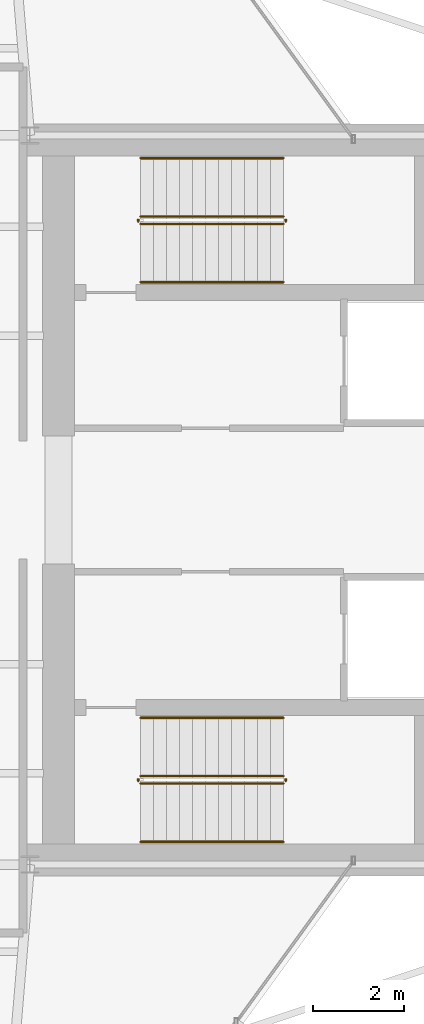
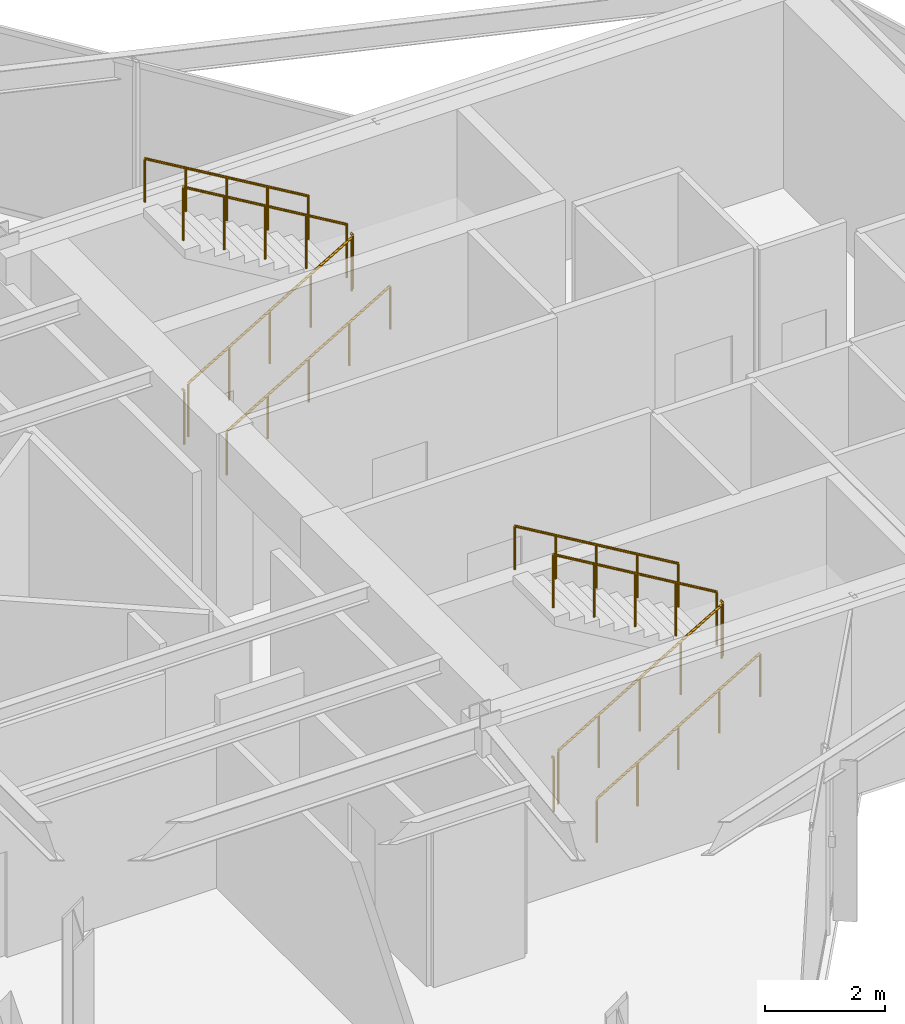
# One storey, part 21 of 21: 12 railings.
"""IFC4 building model written with IfcOpenShell, lengths in metres."""

import ifcopenshell
import ifcopenshell.guid

model = None  # the IFC model being written
_history = None  # IfcOwnerHistory: only IFC2X3 demands one
_inside = {}  # id of a spatial element -> (the spatial element, [elements in it])
_under = {}  # id of a project, library or spatial element -> (it, [spatial elements below it])
_declared = {}  # id of a project -> (the project, [libraries it declares])
_typed = {}  # id of a type object -> (the type object, [elements of that type])
_made_of = {}  # id of a material, layer set ... -> (it, [elements and type objects made of it])


def new_model(schema):
    """Start an empty IFC model of exactly this schema.

    Asked for "IFC4X3", IfcOpenShell would pick the latest addendum, in which some entities
    have other attributes; the version numbers below select the first issue.
    IFC2X3 requires an IfcOwnerHistory on every rooted entity: one is made here for all.
    """
    global model, _history
    if schema == "IFC4X3":
        model = ifcopenshell.file(schema_version=(4, 3, 0, 0))
    else:
        model = ifcopenshell.file(schema=schema)
    _inside.clear()
    _under.clear()
    _declared.clear()
    _typed.clear()
    _made_of.clear()
    _history = None
    if model.schema == "IFC2X3":
        org = make("IfcOrganization", Name="unknown")
        user = make(
            "IfcPersonAndOrganization",
            ThePerson=make("IfcPerson", FamilyName="unknown"),
            TheOrganization=org,
        )
        app = make(
            "IfcApplication",
            ApplicationDeveloper=org,
            Version="unknown",
            ApplicationFullName="unknown",
            ApplicationIdentifier="unknown",
        )
        _history = make(
            "IfcOwnerHistory",
            OwningUser=user,
            OwningApplication=app,
            ChangeAction="ADDED",
            CreationDate=0,
        )
    return model


def make(cls, **values):
    """One entity of the class cls with the attributes given. An attribute that is None is left unset."""
    return model.create_entity(
        cls, **{name: value for name, value in values.items() if value is not None}
    )


def rooted(cls, **values):
    """An entity with a GlobalId (a new one), such as an element, a storey or a relation."""
    return make(cls, GlobalId=ifcopenshell.guid.new(), OwnerHistory=_history, **values)


def si_unit(unit_type, name, prefix=None):
    """IfcSIUnit, for example si_unit("LENGTHUNIT", "METRE", prefix="MILLI")."""
    return make("IfcSIUnit", UnitType=unit_type, Prefix=prefix, Name=name)


def assignment(units):
    """IfcUnitAssignment: the units of a project."""
    return None if units is None else make("IfcUnitAssignment", Units=units)


def point(xyz):
    """IfcCartesianPoint."""
    return None if xyz is None else make("IfcCartesianPoint", Coordinates=xyz)


def direction(xyz):
    """IfcDirection."""
    return None if xyz is None else make("IfcDirection", DirectionRatios=xyz)


def frame(location, z_axis=None, x_axis=None):
    """IfcAxis2Placement3D, a coordinate frame: its origin and axes. An axis left out is left unset."""
    return make(
        "IfcAxis2Placement3D",
        Location=point(location),
        Axis=direction(z_axis),
        RefDirection=direction(x_axis),
    )


def frame_2d(location, x_axis=None):
    """IfcAxis2Placement2D, a coordinate frame in the plane: its origin and x axis."""
    return make(
        "IfcAxis2Placement2D", Location=point(location), RefDirection=direction(x_axis)
    )


def origin():
    """The frame at (0, 0, 0) with its axes left unset."""
    return frame((0.0, 0.0, 0.0))


def origin_2d():
    """The frame at (0, 0) in the plane with its x axis left unset."""
    return frame_2d((0.0, 0.0))


def place(relative_to, where):
    """IfcLocalPlacement: puts the frame where relative to a parent placement (None: the world)."""
    return make(
        "IfcLocalPlacement", PlacementRelTo=relative_to, RelativePlacement=where
    )


def context(
    kind, dimensions, precision=None, world=None, true_north=None, identifier=None
):
    """IfcGeometricRepresentationContext, for example the 3D "Model" context."""
    return make(
        "IfcGeometricRepresentationContext",
        ContextIdentifier=identifier,
        ContextType=kind,
        CoordinateSpaceDimension=dimensions,
        Precision=precision,
        WorldCoordinateSystem=world,
        TrueNorth=true_north,
    )


def subcontext(parent, identifier, kind, view, scale=None):
    """IfcGeometricRepresentationSubContext, for example "Body" below "Model"."""
    return make(
        "IfcGeometricRepresentationSubContext",
        ContextIdentifier=identifier,
        ContextType=kind,
        ParentContext=parent,
        TargetScale=scale,
        TargetView=view,
    )


def project(units=None, contexts=None):
    """IfcProject with its units and contexts."""
    return rooted(
        "IfcProject",
        Name="project",
        RepresentationContexts=contexts,
        UnitsInContext=assignment(units),
    )


def spatial(cls, under=None, at=None, **own):
    """A site, building, storey or space (cls), placed at a placement, below another one or the project."""
    s = rooted(cls, ObjectPlacement=at, **own)
    if under is not None:
        _under.setdefault(under.id(), (under, []))[1].append(s)
    return s


def profile(cls, at=None, kind="AREA", **sizes):
    """A parametric profile (cls). Its sizes go by their IFC names, for example OverallWidth=200.0."""
    return make(cls, ProfileType=kind, Position=at, **sizes)


def circle(**sizes):
    """IfcCircleProfileDef."""
    return profile("IfcCircleProfileDef", **sizes)


def extrude(swept, where, along, depth):
    """IfcExtrudedAreaSolid: the profile swept, set in the frame where, extruded along a direction by depth."""
    return make(
        "IfcExtrudedAreaSolid",
        SweptArea=swept,
        Position=where,
        ExtrudedDirection=direction(along),
        Depth=depth,
    )


def shape(context_of_items, identifier, shape_type, items):
    """IfcShapeRepresentation: the items that make up one representation, for example the "Body"."""
    return make(
        "IfcShapeRepresentation",
        ContextOfItems=context_of_items,
        RepresentationIdentifier=identifier,
        RepresentationType=shape_type,
        Items=items,
    )


def material(Name=None, Category=None):
    """IfcMaterial."""
    return make("IfcMaterial", Name=Name, Category=Category)


def made_of(thing, what):
    """Note that an element or type object is made of a material, layer set ...; save() writes the relation."""
    if what is not None:
        _made_of.setdefault(what.id(), (what, []))[1].append(thing)
    return thing


def type_object(cls, material=None, **own):
    """A type object (cls), such as IfcWallType, which elements share."""
    return made_of(rooted(cls, **own), material)


def element(
    cls,
    number,
    at=None,
    inside=None,
    cuts=None,
    type_object=None,
    material=None,
    context=None,
    identifier="Body",
    shape_type=None,
    held_by="IfcProductDefinitionShape",
    body=None,
    shapes=None,
    **own,
):
    """One element of the class cls, such as IfcWall. Its Tag is "e" and its number.

    at: its placement. inside: the storey or other place that contains it. cuts: it is an
    opening in that element (IfcRelVoidsElement). A single representation is given by context,
    identifier, shape_type and body (its items); several are given by shapes. held_by: the class
    of the entity that holds the representations. save() writes the other relations.
    """
    e = rooted(cls, Tag="e%d" % number, ObjectPlacement=at, **own)
    if body is not None:
        shapes = [shape(context, identifier, shape_type, body)]
    if shapes is not None:
        e.Representation = make(held_by, Representations=shapes)
    if inside is not None:
        _inside.setdefault(inside.id(), (inside, []))[1].append(e)
    if cuts is not None:
        rooted(
            "IfcRelVoidsElement", RelatingBuildingElement=cuts, RelatedOpeningElement=e
        )
    if type_object is not None:
        _typed.setdefault(type_object.id(), (type_object, []))[1].append(e)
    return made_of(e, material)


def aggregate(whole, parts):
    """IfcRelAggregates: a whole, such as a stair, and the parts it consists of."""
    return rooted("IfcRelAggregates", RelatingObject=whole, RelatedObjects=parts)


def save(model, path):
    """Write the relations noted so far, then the file.

    IfcRelAggregates (storeys below a building ...), IfcRelContainedInSpatialStructure (elements
    in a storey), IfcRelDefinesByType, IfcRelAssociatesMaterial and IfcRelDeclares: one each for
    every whole, place, type object, material and project.
    """
    for whole, parts in _under.values():
        aggregate(whole, parts)
    for where, things in _inside.values():
        rooted(
            "IfcRelContainedInSpatialStructure",
            RelatedElements=things,
            RelatingStructure=where,
        )
    for kind, things in _typed.values():
        rooted("IfcRelDefinesByType", RelatedObjects=things, RelatingType=kind)
    for what, things in _made_of.values():
        rooted("IfcRelAssociatesMaterial", RelatedObjects=things, RelatingMaterial=what)
    for by, libraries in _declared.values():
        rooted("IfcRelDeclares", RelatingContext=by, RelatedDefinitions=libraries)
    model.write(path)


model = new_model("IFC4")

# Units and contexts
model_context = context("Model", 3, precision=1e-05, world=origin(), true_north=direction((0.0, 1.0)))
body_context = subcontext(model_context, "Body", "Model", "MODEL_VIEW")
ifc_project = project(units=[si_unit("LENGTHUNIT", "METRE"), si_unit("AREAUNIT", "SQUARE_METRE"), si_unit("VOLUMEUNIT", "CUBIC_METRE"), si_unit("PLANEANGLEUNIT", "RADIAN"), si_unit("MASSUNIT", "GRAM", prefix="KILO")], contexts=[model_context])

# Site, building, storey
site_placement = place(None, origin())
site = spatial("IfcSite", under=ifc_project, at=site_placement, CompositionType="ELEMENT")
building_placement = place(site_placement, origin())
building = spatial("IfcBuilding", under=site, at=building_placement, Name="Veymaron Broadcast Tower", CompositionType="ELEMENT")
storey_placement = place(building_placement, frame((0.0, 0.0, 228.300048828125)))
storey = spatial("IfcBuildingStorey", under=building, at=storey_placement, Name="L53", CompositionType="ELEMENT", Elevation=228.300048828125)

# Railings
ifc_material_1 = material(Name="Brushed stainless steel AISI 304", Category="steel")
railing_type_1 = type_object("IfcRailingType", Name="RAIL-STAIR-HR", PredefinedType="HANDRAIL", material=ifc_material_1)
railing_1_placement = place(storey_placement, frame((41.429931640625, 28.780029296875, 0.168701171875)))
element("IfcRailing", 1, at=railing_1_placement, inside=storey, type_object=railing_type_1, Name="L53 ST1 stair handrail 1", PredefinedType="HANDRAIL", context=body_context, shape_type="SweptSolid", body=[
    extrude(circle(Radius=0.02392578125, at=origin_2d()), frame((0.0, 0.0, 0.8759765625), z_axis=(0.860481960309, 0.0, 0.509480908359), x_axis=(0.0, 1.0, 0.0)), (0.0, 0.0, 1.0), 3.643310546875),
    extrude(circle(Radius=0.02099609375, at=origin_2d()), origin(), (0.0, 0.0, 1.0), 0.851806640625),
    extrude(circle(Radius=0.02099609375, at=origin_2d()), frame((0.78369140625, 0.0, 0.464111328125)), (0.0, 0.0, 1.0), 0.851806640625),
    extrude(circle(Radius=0.02099609375, at=origin_2d()), frame((1.5673828125, 0.0, 0.92822265625)), (0.0, 0.0, 1.0), 0.851806640625),
    extrude(circle(Radius=0.02099609375, at=origin_2d()), frame((2.351318359375, 0.0, 1.39208984375)), (0.0, 0.0, 1.0), 0.851806640625),
    extrude(circle(Radius=0.02099609375, at=origin_2d()), frame((3.135009765625, 0.0, 1.856201171875)), (0.0, 0.0, 1.0), 0.851806640625),
])
railing_2_placement = place(storey_placement, frame((44.56494140625, 31.5, 2.193603515625)))
element("IfcRailing", 2, at=railing_2_placement, inside=storey, type_object=railing_type_1, Name="L53 ST1 stair handrail 2", PredefinedType="HANDRAIL", context=body_context, shape_type="SweptSolid", body=[
    extrude(circle(Radius=0.02392578125, at=origin_2d()), frame((0.0, 0.0, 0.8759765625), z_axis=(-0.860452582533, 0.0, 0.509530522356), x_axis=(0.0, -1.0, 0.0)), (0.0, 0.0, 1.0), 3.6435546875),
    extrude(circle(Radius=0.02099609375, at=origin_2d()), origin(), (0.0, 0.0, 1.0), 0.851806640625),
    extrude(circle(Radius=0.02099609375, at=origin_2d()), frame((-0.78369140625, 0.0, 0.464111328125)), (0.0, 0.0, 1.0), 0.851806640625),
    extrude(circle(Radius=0.02099609375, at=origin_2d()), frame((-1.5673828125, 0.0, 0.92822265625)), (0.0, 0.0, 1.0), 0.851806640625),
    extrude(circle(Radius=0.02099609375, at=origin_2d()), frame((-2.351318359375, 0.0, 1.392333984375)), (0.0, 0.0, 1.0), 0.851806640625),
    extrude(circle(Radius=0.02099609375, at=origin_2d()), frame((-3.135009765625, 0.0, 1.8564453125)), (0.0, 0.0, 1.0), 0.851806640625),
])
railing_3_placement = place(storey_placement, frame((41.429931640625, 16.5, 0.168701171875)))
element("IfcRailing", 3, at=railing_3_placement, inside=storey, type_object=railing_type_1, Name="L53 ST2 stair handrail 1", PredefinedType="HANDRAIL", context=body_context, shape_type="SweptSolid", body=[
    extrude(circle(Radius=0.02392578125, at=origin_2d()), frame((0.0, 0.0, 0.8759765625), z_axis=(0.860481960309, 0.0, 0.509480908359), x_axis=(0.0, 1.0, 0.0)), (0.0, 0.0, 1.0), 3.643310546875),
    extrude(circle(Radius=0.02099609375, at=origin_2d()), origin(), (0.0, 0.0, 1.0), 0.851806640625),
    extrude(circle(Radius=0.02099609375, at=origin_2d()), frame((0.78369140625, 0.0, 0.464111328125)), (0.0, 0.0, 1.0), 0.851806640625),
    extrude(circle(Radius=0.02099609375, at=origin_2d()), frame((1.5673828125, 0.0, 0.92822265625)), (0.0, 0.0, 1.0), 0.851806640625),
    extrude(circle(Radius=0.02099609375, at=origin_2d()), frame((2.351318359375, 0.0, 1.39208984375)), (0.0, 0.0, 1.0), 0.851806640625),
    extrude(circle(Radius=0.02099609375, at=origin_2d()), frame((3.135009765625, 0.0, 1.856201171875)), (0.0, 0.0, 1.0), 0.851806640625),
])
railing_4_placement = place(storey_placement, frame((44.56494140625, 19.219970703125, 2.193603515625)))
element("IfcRailing", 4, at=railing_4_placement, inside=storey, type_object=railing_type_1, Name="L53 ST2 stair handrail 2", PredefinedType="HANDRAIL", context=body_context, shape_type="SweptSolid", body=[
    extrude(circle(Radius=0.02392578125, at=origin_2d()), frame((0.0, 0.0, 0.8759765625), z_axis=(-0.860452582533, 0.0, 0.509530522356), x_axis=(0.0, -1.0, 0.0)), (0.0, 0.0, 1.0), 3.6435546875),
    extrude(circle(Radius=0.02099609375, at=origin_2d()), origin(), (0.0, 0.0, 1.0), 0.851806640625),
    extrude(circle(Radius=0.02099609375, at=origin_2d()), frame((-0.78369140625, 0.0, 0.464111328125)), (0.0, 0.0, 1.0), 0.851806640625),
    extrude(circle(Radius=0.02099609375, at=origin_2d()), frame((-1.5673828125, 0.0, 0.92822265625)), (0.0, 0.0, 1.0), 0.851806640625),
    extrude(circle(Radius=0.02099609375, at=origin_2d()), frame((-2.351318359375, 0.0, 1.392333984375)), (0.0, 0.0, 1.0), 0.851806640625),
    extrude(circle(Radius=0.02099609375, at=origin_2d()), frame((-3.135009765625, 0.0, 1.8564453125)), (0.0, 0.0, 1.0), 0.851806640625),
])
ifc_material_2 = material(Name="Painted galvanized steel balustrade", Category="steel")
railing_type_2 = type_object("IfcRailingType", Name="RAIL-WELL-GRD", PredefinedType="GUARDRAIL", material=ifc_material_2)
railing_5_placement = place(storey_placement, frame((41.429931640625, 30.06005859375, 0.168701171875)))
element("IfcRailing", 5, at=railing_5_placement, inside=storey, type_object=railing_type_2, Name="L53 ST1 stair guard 1", PredefinedType="GUARDRAIL", context=body_context, shape_type="SweptSolid", body=[
    extrude(circle(Radius=0.02392578125, at=origin_2d()), frame((0.0, 0.0, 1.076171875), z_axis=(0.860481960309, 0.0, 0.509480908359), x_axis=(0.0, 1.0, 0.0)), (0.0, 0.0, 1.0), 3.643310546875),
    extrude(circle(Radius=0.02099609375, at=origin_2d()), origin(), (0.0, 0.0, 1.0), 1.052001953125),
    extrude(circle(Radius=0.02099609375, at=origin_2d()), frame((0.78369140625, 0.0, 0.464111328125)), (0.0, 0.0, 1.0), 1.052001953125),
    extrude(circle(Radius=0.02099609375, at=origin_2d()), frame((1.5673828125, 0.0, 0.92822265625)), (0.0, 0.0, 1.0), 1.052001953125),
    extrude(circle(Radius=0.02099609375, at=origin_2d()), frame((2.351318359375, 0.0, 1.39208984375)), (0.0, 0.0, 1.0), 1.052001953125),
    extrude(circle(Radius=0.02099609375, at=origin_2d()), frame((3.135009765625, 0.0, 1.856201171875)), (0.0, 0.0, 1.0), 1.052001953125),
])
railing_6_placement = place(storey_placement, frame((44.614990234375, 30.110107421875, 2.02490234375)))
element("IfcRailing", 6, at=railing_6_placement, inside=storey, type_object=railing_type_2, Name="L53 ST1 stair guard 2", PredefinedType="GUARDRAIL", context=body_context, shape_type="SweptSolid", body=[
    extrude(circle(Radius=0.02392578125, at=origin_2d()), frame((0.0, 0.0, 1.076171875), z_axis=(0.0, 1.0, 0.0), x_axis=(-1.0, 0.0, 0.0)), (0.0, 0.0, 1.0), 0.059814453125),
    extrude(circle(Radius=0.02099609375, at=origin_2d()), origin(), (0.0, 0.0, 1.0), 1.052001953125),
])
railing_7_placement = place(storey_placement, frame((44.56494140625, 30.219970703125, 2.193603515625)))
element("IfcRailing", 7, at=railing_7_placement, inside=storey, type_object=railing_type_2, Name="L53 ST1 stair guard 3", PredefinedType="GUARDRAIL", context=body_context, shape_type="SweptSolid", body=[
    extrude(circle(Radius=0.02392578125, at=origin_2d()), frame((0.0, 0.0, 1.076171875), z_axis=(-0.860452582533, 0.0, 0.509530522356), x_axis=(0.0, -1.0, 0.0)), (0.0, 0.0, 1.0), 3.6435546875),
    extrude(circle(Radius=0.02099609375, at=origin_2d()), origin(), (0.0, 0.0, 1.0), 1.052001953125),
    extrude(circle(Radius=0.02099609375, at=origin_2d()), frame((-0.78369140625, 0.0, 0.464111328125)), (0.0, 0.0, 1.0), 1.052001953125),
    extrude(circle(Radius=0.02099609375, at=origin_2d()), frame((-1.5673828125, 0.0, 0.92822265625)), (0.0, 0.0, 1.0), 1.052001953125),
    extrude(circle(Radius=0.02099609375, at=origin_2d()), frame((-2.351318359375, 0.0, 1.392333984375)), (0.0, 0.0, 1.0), 1.052001953125),
    extrude(circle(Radius=0.02099609375, at=origin_2d()), frame((-3.135009765625, 0.0, 1.8564453125)), (0.0, 0.0, 1.0), 1.052001953125),
])
railing_8_placement = place(storey_placement, frame((41.3798828125, 30.110107421875, 0.0)))
element("IfcRailing", 8, at=railing_8_placement, inside=storey, type_object=railing_type_2, Name="L53 ST1 stair guard 4", PredefinedType="GUARDRAIL", context=body_context, shape_type="SweptSolid", body=[
    extrude(circle(Radius=0.02392578125, at=origin_2d()), frame((0.0, 0.0, 1.076171875), z_axis=(0.0, 1.0, 0.0), x_axis=(-1.0, 0.0, 0.0)), (0.0, 0.0, 1.0), 0.059814453125),
    extrude(circle(Radius=0.02099609375, at=origin_2d()), origin(), (0.0, 0.0, 1.0), 1.052001953125),
])
railing_9_placement = place(storey_placement, frame((41.429931640625, 17.780029296875, 0.168701171875)))
element("IfcRailing", 9, at=railing_9_placement, inside=storey, type_object=railing_type_2, Name="L53 ST2 stair guard 1", PredefinedType="GUARDRAIL", context=body_context, shape_type="SweptSolid", body=[
    extrude(circle(Radius=0.02392578125, at=origin_2d()), frame((0.0, 0.0, 1.076171875), z_axis=(0.860481960309, 0.0, 0.509480908359), x_axis=(0.0, 1.0, 0.0)), (0.0, 0.0, 1.0), 3.643310546875),
    extrude(circle(Radius=0.02099609375, at=origin_2d()), origin(), (0.0, 0.0, 1.0), 1.052001953125),
    extrude(circle(Radius=0.02099609375, at=origin_2d()), frame((0.78369140625, 0.0, 0.464111328125)), (0.0, 0.0, 1.0), 1.052001953125),
    extrude(circle(Radius=0.02099609375, at=origin_2d()), frame((1.5673828125, 0.0, 0.92822265625)), (0.0, 0.0, 1.0), 1.052001953125),
    extrude(circle(Radius=0.02099609375, at=origin_2d()), frame((2.351318359375, 0.0, 1.39208984375)), (0.0, 0.0, 1.0), 1.052001953125),
    extrude(circle(Radius=0.02099609375, at=origin_2d()), frame((3.135009765625, 0.0, 1.856201171875)), (0.0, 0.0, 1.0), 1.052001953125),
])
railing_10_placement = place(storey_placement, frame((44.614990234375, 17.830078125, 2.02490234375)))
element("IfcRailing", 10, at=railing_10_placement, inside=storey, type_object=railing_type_2, Name="L53 ST2 stair guard 2", PredefinedType="GUARDRAIL", context=body_context, shape_type="SweptSolid", body=[
    extrude(circle(Radius=0.02392578125, at=origin_2d()), frame((0.0, 0.0, 1.076171875), z_axis=(0.0, 1.0, 0.0), x_axis=(-1.0, 0.0, 0.0)), (0.0, 0.0, 1.0), 0.059814453125),
    extrude(circle(Radius=0.02099609375, at=origin_2d()), origin(), (0.0, 0.0, 1.0), 1.052001953125),
])
railing_11_placement = place(storey_placement, frame((44.56494140625, 17.93994140625, 2.193603515625)))
element("IfcRailing", 11, at=railing_11_placement, inside=storey, type_object=railing_type_2, Name="L53 ST2 stair guard 3", PredefinedType="GUARDRAIL", context=body_context, shape_type="SweptSolid", body=[
    extrude(circle(Radius=0.02392578125, at=origin_2d()), frame((0.0, 0.0, 1.076171875), z_axis=(-0.860452582533, 0.0, 0.509530522356), x_axis=(0.0, -1.0, 0.0)), (0.0, 0.0, 1.0), 3.6435546875),
    extrude(circle(Radius=0.02099609375, at=origin_2d()), origin(), (0.0, 0.0, 1.0), 1.052001953125),
    extrude(circle(Radius=0.02099609375, at=origin_2d()), frame((-0.78369140625, 0.0, 0.464111328125)), (0.0, 0.0, 1.0), 1.052001953125),
    extrude(circle(Radius=0.02099609375, at=origin_2d()), frame((-1.5673828125, 0.0, 0.92822265625)), (0.0, 0.0, 1.0), 1.052001953125),
    extrude(circle(Radius=0.02099609375, at=origin_2d()), frame((-2.351318359375, 0.0, 1.392333984375)), (0.0, 0.0, 1.0), 1.052001953125),
    extrude(circle(Radius=0.02099609375, at=origin_2d()), frame((-3.135009765625, 0.0, 1.8564453125)), (0.0, 0.0, 1.0), 1.052001953125),
])
railing_12_placement = place(storey_placement, frame((41.3798828125, 17.830078125, 0.0)))
element("IfcRailing", 12, at=railing_12_placement, inside=storey, type_object=railing_type_2, Name="L53 ST2 stair guard 4", PredefinedType="GUARDRAIL", context=body_context, shape_type="SweptSolid", body=[
    extrude(circle(Radius=0.02392578125, at=origin_2d()), frame((0.0, 0.0, 1.076171875), z_axis=(0.0, 1.0, 0.0), x_axis=(-1.0, 0.0, 0.0)), (0.0, 0.0, 1.0), 0.059814453125),
    extrude(circle(Radius=0.02099609375, at=origin_2d()), origin(), (0.0, 0.0, 1.0), 1.052001953125),
])

save(model, "model.ifc")
